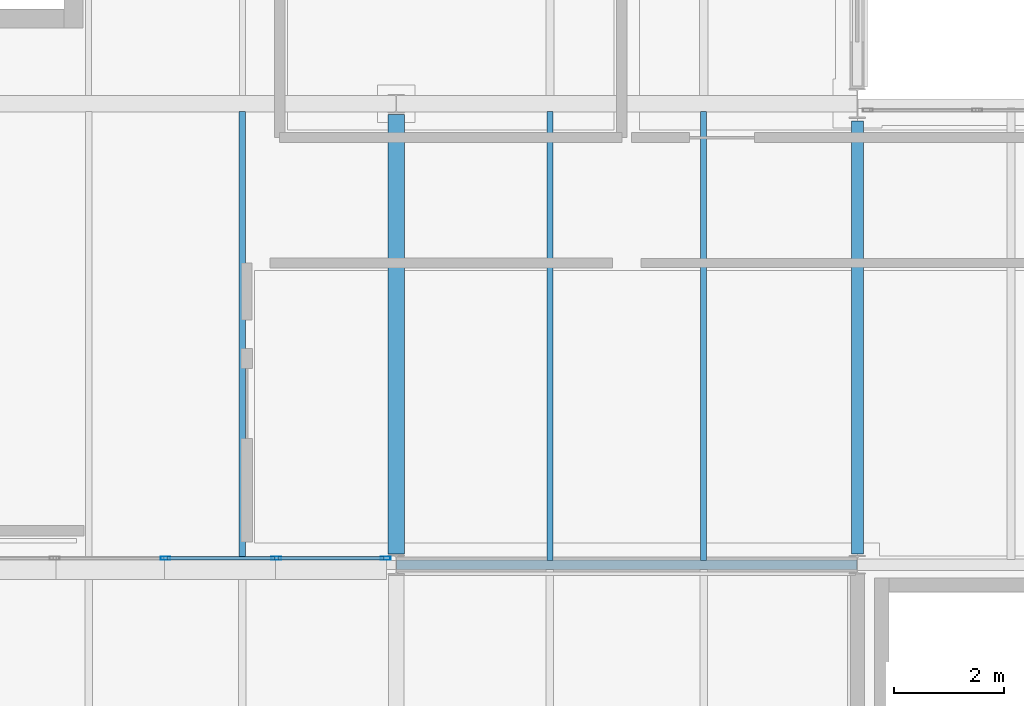
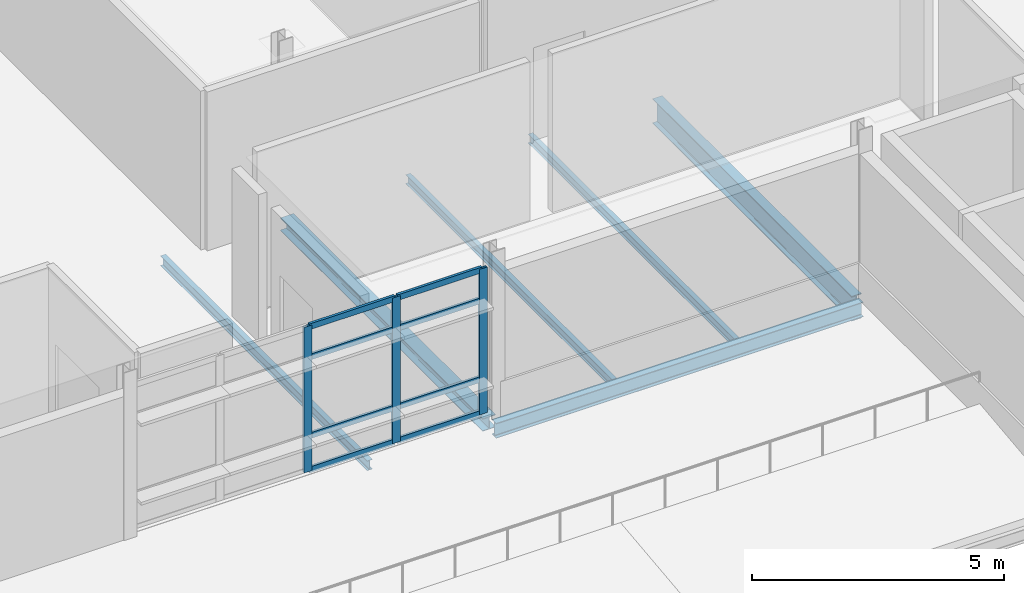
# One storey, part 23 of 151: 11 members, 6 beams, 1 element without a shape of its own.
"""IFC4 building model written with IfcOpenShell, lengths in metres."""

from ifc_helpers import new_model, si_unit, direction, frame, origin, origin_2d, place, context, subcontext, project, spatial, hollow_rectangle, i_section, extrude, material, material_profile, profile_set, type_object, element, aggregate, save


model = new_model("IFC4")

# Units and contexts
model_context = context("Model", 3, precision=1e-05, world=origin(), true_north=direction((0.0, 1.0)))
body_context = subcontext(model_context, "Body", "Model", "MODEL_VIEW")
ifc_project = project(units=[si_unit("LENGTHUNIT", "METRE"), si_unit("AREAUNIT", "SQUARE_METRE"), si_unit("VOLUMEUNIT", "CUBIC_METRE"), si_unit("PLANEANGLEUNIT", "RADIAN"), si_unit("MASSUNIT", "GRAM", prefix="KILO")], contexts=[model_context])

# Site, building, storey
site_placement = place(None, origin())
site = spatial("IfcSite", under=ifc_project, at=site_placement, CompositionType="ELEMENT")
building_placement = place(site_placement, origin())
building = spatial("IfcBuilding", under=site, at=building_placement, Name="Mersafa Astral City Hall", CompositionType="ELEMENT")
storey_placement = place(building_placement, frame((0.0, 0.0, 9.89990234375)))
storey = spatial("IfcBuildingStorey", under=building, at=storey_placement, Name="L02", CompositionType="ELEMENT", Elevation=9.89990234375)

# Curtain wall, members
ifc_material_1 = material(Name="Anodised bronze aluminium framing", Category="aluminium")
curtain_wall_type = type_object("IfcCurtainWallType", Name="ENV-CW-4", PredefinedType="USERDEFINED", material=ifc_material_1)
curtain_wall_placement = place(storey_placement, origin())
curtain_wall = element("IfcCurtainWall", 1, at=curtain_wall_placement, inside=storey, type_object=curtain_wall_type, Name="L02 Unitised solar curtain wall 105", ObjectType="UNITISED CURTAIN WALL", PredefinedType="USERDEFINED")
ifc_material_profile_1 = material_profile(ifc_material_1, hollow_rectangle(XDim=0.06005859375, YDim=0.179931640625, WallThickness=0.00390625, at=origin_2d()), Name="RHS 60x180x4")
ifc_profile_set_1 = profile_set([ifc_material_profile_1], Name="Anodised bronze aluminium framing")
member_type_1 = type_object("IfcMemberType", Name="ENV-CW-MUL-1", PredefinedType="MULLION", material=ifc_profile_set_1)
member_1_placement = place(storey_placement, frame((105.0, 25.320068359375, -0.001953125), z_axis=(0.0, 0.0, 1.0), x_axis=(0.0, 1.0, 0.0)))
member_1 = element("IfcMember", 2, at=member_1_placement, type_object=member_type_1, Name="CW-4 mullion 3", PredefinedType="MULLION", context=body_context, shape_type="SweptSolid", body=[
    extrude(hollow_rectangle(XDim=0.06005859375, YDim=0.179931640625, WallThickness=0.00390625, at=origin_2d()), origin(), (0.0, 0.0, 1.0), 3.51904296875),
])
member_2_placement = place(storey_placement, frame((107.01904296875, 25.320068359375, -0.001953125), z_axis=(0.0, 0.0, 1.0), x_axis=(0.0, 1.0, 0.0)))
member_2 = element("IfcMember", 3, at=member_2_placement, type_object=member_type_1, Name="CW-4 mullion 4", PredefinedType="MULLION", context=body_context, shape_type="SweptSolid", body=[
    extrude(hollow_rectangle(XDim=0.06005859375, YDim=0.179931640625, WallThickness=0.00390625, at=origin_2d()), origin(), (0.0, 0.0, 1.0), 3.51904296875),
])
member_3_placement = place(storey_placement, frame((109.008056640625, 25.320068359375, -0.001953125), z_axis=(0.0, 0.0, 1.0), x_axis=(0.0, 1.0, 0.0)))
member_3 = element("IfcMember", 4, at=member_3_placement, type_object=member_type_1, Name="CW-4 mullion 5", PredefinedType="MULLION", context=body_context, shape_type="SweptSolid", body=[
    extrude(hollow_rectangle(XDim=0.06005859375, YDim=0.179931640625, WallThickness=0.00390625, at=origin_2d()), origin(), (0.0, 0.0, 1.0), 3.51904296875),
])
ifc_material_profile_2 = material_profile(ifc_material_1, hollow_rectangle(XDim=0.06005859375, YDim=0.139892578125, WallThickness=0.00390625, at=origin_2d()), Name="RHS 60x140x4")
ifc_profile_set_2 = profile_set([ifc_material_profile_2], Name="Anodised bronze aluminium framing")
member_type_2 = type_object("IfcMemberType", Name="ENV-CW-TRN-1", PredefinedType="USERDEFINED", material=ifc_profile_set_2)
member_4_placement = place(storey_placement, frame((105.030029296875, 25.320068359375, 0.028076171875), z_axis=(1.0, 0.0, 0.0), x_axis=(0.0, 1.0, 0.0)))
member_4 = element("IfcMember", 5, at=member_4_placement, type_object=member_type_2, Name="CW-4 transom 3.1", ObjectType="TRANSOM", PredefinedType="USERDEFINED", context=body_context, shape_type="SweptSolid", body=[
    extrude(hollow_rectangle(XDim=0.06005859375, YDim=0.139892578125, WallThickness=0.00390625, at=origin_2d()), origin(), (0.0, 0.0, 1.0), 1.958984375),
])
member_5_placement = place(storey_placement, frame((105.030029296875, 25.320068359375, 0.85009765625), z_axis=(1.0, 0.0, 0.0), x_axis=(0.0, 1.0, 0.0)))
member_5 = element("IfcMember", 6, at=member_5_placement, type_object=member_type_2, Name="CW-4 transom 3.2", ObjectType="TRANSOM", PredefinedType="USERDEFINED", context=body_context, shape_type="SweptSolid", body=[
    extrude(hollow_rectangle(XDim=0.06005859375, YDim=0.139892578125, WallThickness=0.00390625, at=origin_2d()), origin(), (0.0, 0.0, 1.0), 1.958984375),
])
member_6_placement = place(storey_placement, frame((105.030029296875, 25.320068359375, 2.75), z_axis=(1.0, 0.0, 0.0), x_axis=(0.0, 1.0, 0.0)))
member_6 = element("IfcMember", 7, at=member_6_placement, type_object=member_type_2, Name="CW-4 transom 3.3", ObjectType="TRANSOM", PredefinedType="USERDEFINED", context=body_context, shape_type="SweptSolid", body=[
    extrude(hollow_rectangle(XDim=0.06005859375, YDim=0.139892578125, WallThickness=0.00390625, at=origin_2d()), origin(), (0.0, 0.0, 1.0), 1.958984375),
])
member_7_placement = place(storey_placement, frame((105.030029296875, 25.320068359375, 3.487060546875), z_axis=(1.0, 0.0, 0.0), x_axis=(0.0, 1.0, 0.0)))
member_7 = element("IfcMember", 8, at=member_7_placement, type_object=member_type_2, Name="CW-4 transom 3.4", ObjectType="TRANSOM", PredefinedType="USERDEFINED", context=body_context, shape_type="SweptSolid", body=[
    extrude(hollow_rectangle(XDim=0.06005859375, YDim=0.139892578125, WallThickness=0.00390625, at=origin_2d()), origin(), (0.0, 0.0, 1.0), 1.958984375),
])
member_8_placement = place(storey_placement, frame((107.049072265625, 25.320068359375, 0.028076171875), z_axis=(1.0, 0.0, 0.0), x_axis=(0.0, 1.0, 0.0)))
member_8 = element("IfcMember", 9, at=member_8_placement, type_object=member_type_2, Name="CW-4 transom 4.1", ObjectType="TRANSOM", PredefinedType="USERDEFINED", context=body_context, shape_type="SweptSolid", body=[
    extrude(hollow_rectangle(XDim=0.06005859375, YDim=0.139892578125, WallThickness=0.00390625, at=origin_2d()), origin(), (0.0, 0.0, 1.0), 1.928955078125),
])
member_9_placement = place(storey_placement, frame((107.049072265625, 25.320068359375, 0.85009765625), z_axis=(1.0, 0.0, 0.0), x_axis=(0.0, 1.0, 0.0)))
member_9 = element("IfcMember", 10, at=member_9_placement, type_object=member_type_2, Name="CW-4 transom 4.2", ObjectType="TRANSOM", PredefinedType="USERDEFINED", context=body_context, shape_type="SweptSolid", body=[
    extrude(hollow_rectangle(XDim=0.06005859375, YDim=0.139892578125, WallThickness=0.00390625, at=origin_2d()), origin(), (0.0, 0.0, 1.0), 1.928955078125),
])
member_10_placement = place(storey_placement, frame((107.049072265625, 25.320068359375, 2.75), z_axis=(1.0, 0.0, 0.0), x_axis=(0.0, 1.0, 0.0)))
member_10 = element("IfcMember", 11, at=member_10_placement, type_object=member_type_2, Name="CW-4 transom 4.3", ObjectType="TRANSOM", PredefinedType="USERDEFINED", context=body_context, shape_type="SweptSolid", body=[
    extrude(hollow_rectangle(XDim=0.06005859375, YDim=0.139892578125, WallThickness=0.00390625, at=origin_2d()), origin(), (0.0, 0.0, 1.0), 1.928955078125),
])
member_11_placement = place(storey_placement, frame((107.049072265625, 25.320068359375, 3.487060546875), z_axis=(1.0, 0.0, 0.0), x_axis=(0.0, 1.0, 0.0)))
member_11 = element("IfcMember", 12, at=member_11_placement, type_object=member_type_2, Name="CW-4 transom 4.4", ObjectType="TRANSOM", PredefinedType="USERDEFINED", context=body_context, shape_type="SweptSolid", body=[
    extrude(hollow_rectangle(XDim=0.06005859375, YDim=0.139892578125, WallThickness=0.00390625, at=origin_2d()), origin(), (0.0, 0.0, 1.0), 1.928955078125),
])
aggregate(curtain_wall, [member_1, member_2, member_3, member_4, member_5, member_6, member_7, member_8, member_9, member_10, member_11])

# Beams
ifc_material_2 = material(Name="Steel S355", Category="steel")
ifc_material_profile_3 = material_profile(ifc_material_2, i_section(OverallWidth=0.300048828125, OverallDepth=0.31005859375, WebThickness=0.009033203125, FlangeThickness=0.015380859375, FilletRadius=0.027099609375, at=origin_2d()), Name="HEA 320")
ifc_profile_set_3 = profile_set([ifc_material_profile_3], Name="Steel S355")
beam_type_1 = type_object("IfcBeamType", Name="STR-BM-HEA320", PredefinedType="BEAM", material=ifc_profile_set_3)
beam_1_placement = place(storey_placement, frame((109.199951171875, 25.39501953125, -0.35498046875), z_axis=(0.0, 1.0, 0.0), x_axis=(-1.0, 0.0, 0.0)))
element("IfcBeam", 13, at=beam_1_placement, inside=storey, type_object=beam_type_1, Name="L02 Primary girder Y 13-3", PredefinedType="BEAM", context=body_context, shape_type="SweptSolid", body=[
    extrude(i_section(OverallWidth=0.300048828125, OverallDepth=0.31005859375, WebThickness=0.009033203125, FlangeThickness=0.015380859375, FilletRadius=0.027099609375, at=origin_2d()), origin(), (0.0, 0.0, 1.0), 8.010009765625),
])
ifc_material_profile_4 = material_profile(ifc_material_2, i_section(OverallWidth=0.219970703125, OverallDepth=0.60009765625, WebThickness=0.011962890625, FlangeThickness=0.01904296875, FilletRadius=0.02392578125, at=origin_2d()), Name="IPE 600")
ifc_profile_set_4 = profile_set([ifc_material_profile_4], Name="Steel S355")
beam_type_2 = type_object("IfcBeamType", Name="STR-BM-IPE600", PredefinedType="BEAM", material=ifc_profile_set_4)
beam_2_placement = place(storey_placement, frame((117.60009765625, 25.39501953125, -0.5), z_axis=(0.0, 1.0, 0.0), x_axis=(-1.0, 0.0, 0.0)))
element("IfcBeam", 14, at=beam_2_placement, inside=storey, type_object=beam_type_2, Name="L02 Primary girder Y 14-3", PredefinedType="BEAM", context=body_context, shape_type="SweptSolid", body=[
    extrude(i_section(OverallWidth=0.219970703125, OverallDepth=0.60009765625, WebThickness=0.011962890625, FlangeThickness=0.01904296875, FilletRadius=0.02392578125, at=origin_2d()), origin(), (0.0, 0.0, 1.0), 7.885009765625),
])
ifc_material_profile_5 = material_profile(ifc_material_2, i_section(OverallWidth=0.110107421875, OverallDepth=0.219970703125, WebThickness=0.005859375, FlangeThickness=0.00927734375, FilletRadius=0.011962890625, at=origin_2d()), Name="IPE 220")
ifc_profile_set_5 = profile_set([ifc_material_profile_5], Name="Steel S355")
beam_type_3 = type_object("IfcBeamType", Name="STR-BM-JOIST-IPE220", PredefinedType="JOIST", material=ifc_profile_set_5)
for number, where, z_axis, x_axis, name in (
    (15, (112.0, 25.280029296875, -0.309814453125), (0.0, 1.0, 0.0), (-1.0, 0.0, 0.0), "L02 Composite secondary floor joist 470"),
    (16, (114.800048828125, 25.280029296875, -0.309814453125), (0.0, 1.0, 0.0), (-1.0, 0.0, 0.0), "L02 Composite secondary floor joist 471"),
):
    element("IfcBeam", number, at=place(storey_placement, frame(where, z_axis=z_axis, x_axis=x_axis)), inside=storey, type_object=beam_type_3, Name=name, PredefinedType="JOIST", context=body_context, shape_type="SweptSolid", body=[
        extrude(i_section(OverallWidth=0.110107421875, OverallDepth=0.219970703125, WebThickness=0.005859375, FlangeThickness=0.00927734375, FilletRadius=0.011962890625, at=origin_2d()), origin(), (0.0, 0.0, 1.0), 8.175048828125),
    ])
ifc_material_profile_6 = material_profile(ifc_material_2, i_section(OverallWidth=0.1201171875, OverallDepth=0.239990234375, WebThickness=0.006103515625, FlangeThickness=0.009765625, FilletRadius=0.014892578125, at=origin_2d()), Name="IPE 240")
ifc_profile_set_6 = profile_set([ifc_material_profile_6], Name="Steel S355")
beam_type_4 = type_object("IfcBeamType", Name="STR-BM-JOIST-IPE240", PredefinedType="JOIST", material=ifc_profile_set_6)
beam_3_placement = place(storey_placement, frame((106.39990234375, 25.27490234375, -0.31982421875), z_axis=(0.0, 1.0, 0.0), x_axis=(-1.0, 0.0, 0.0)))
element("IfcBeam", 17, at=beam_3_placement, inside=storey, type_object=beam_type_4, Name="L02 Composite secondary floor joist 453", PredefinedType="JOIST", context=body_context, shape_type="SweptSolid", body=[
    extrude(i_section(OverallWidth=0.1201171875, OverallDepth=0.239990234375, WebThickness=0.006103515625, FlangeThickness=0.009765625, FilletRadius=0.014892578125, at=origin_2d()), origin(), (0.0, 0.0, 1.0), 8.18017578125),
])
ifc_material_profile_7 = material_profile(ifc_material_2, i_section(OverallWidth=0.169921875, OverallDepth=0.360107421875, WebThickness=0.008056640625, FlangeThickness=0.0126953125, FilletRadius=0.01806640625, at=origin_2d()), Name="IPE 360")
ifc_profile_set_7 = profile_set([ifc_material_profile_7], Name="Steel S355")
beam_type_5 = type_object("IfcBeamType", Name="STR-BM-SPANDREL-IPE360", PredefinedType="SPANDREL", material=ifc_profile_set_7)
beam_4_placement = place(storey_placement, frame((109.202880859375, 25.199951171875, -0.3798828125), z_axis=(1.0, 0.0, 0.0), x_axis=(0.0, 1.0, 0.0)))
element("IfcBeam", 18, at=beam_4_placement, inside=storey, type_object=beam_type_5, Name="L02 Primary girder X 13-3", PredefinedType="SPANDREL", context=body_context, shape_type="SweptSolid", body=[
    extrude(i_section(OverallWidth=0.169921875, OverallDepth=0.360107421875, WebThickness=0.008056640625, FlangeThickness=0.0126953125, FilletRadius=0.01806640625, at=origin_2d()), origin(), (0.0, 0.0, 1.0), 8.39404296875),
])

save(model, "model.ifc")
